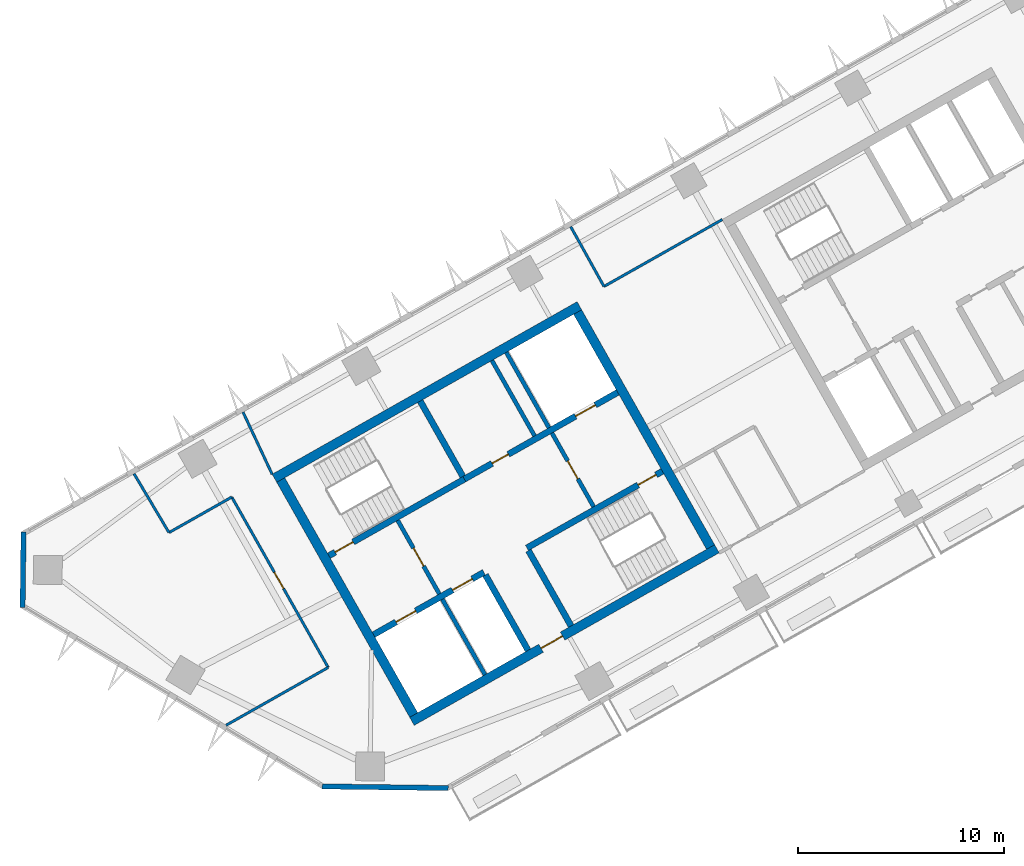
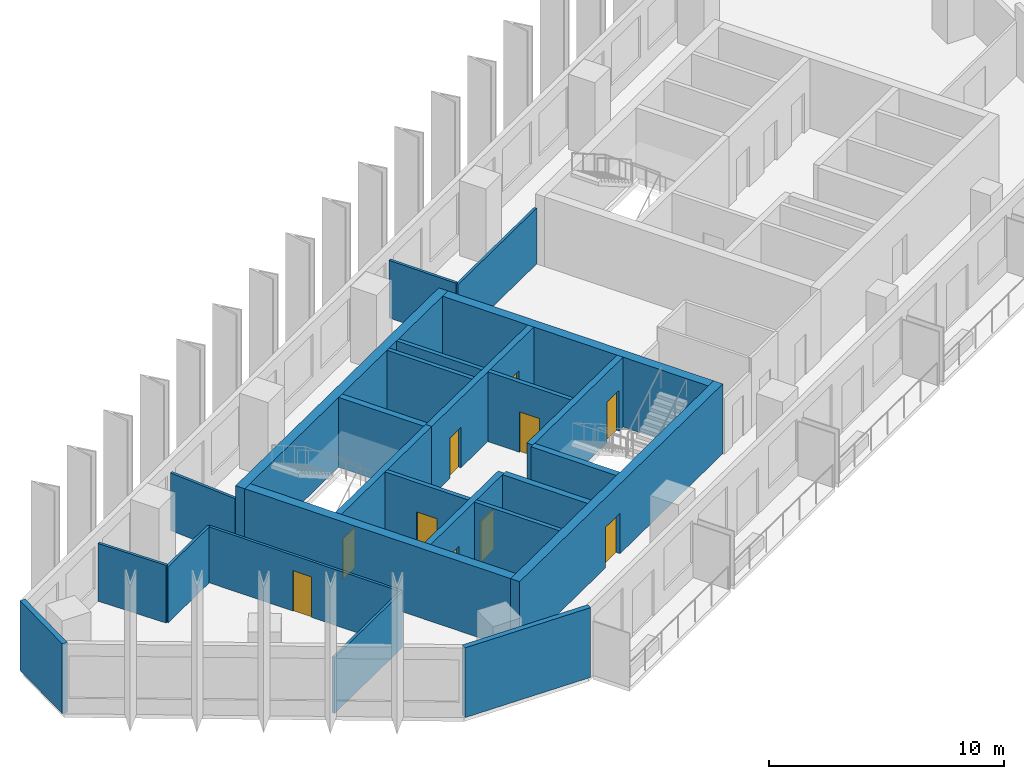
# One storey, part 3 of 12: 25 walls, 10 doors, 10 openings.
"""IFC4 building model written with IfcOpenShell, lengths in metres."""

from ifc_helpers import new_model, si_unit, direction, frame, frame_2d, origin, place, context, subcontext, project, spatial, rectangle, extrude, material, layer, layer_set, type_object, element, fill, save


model = new_model("IFC4")

# Units and contexts
model_context = context("Model", 3, precision=1e-05, world=origin(), true_north=direction((0.0, 1.0)))
body_context = subcontext(model_context, "Body", "Model", "MODEL_VIEW")
ifc_project = project(units=[si_unit("LENGTHUNIT", "METRE"), si_unit("AREAUNIT", "SQUARE_METRE"), si_unit("VOLUMEUNIT", "CUBIC_METRE"), si_unit("PLANEANGLEUNIT", "RADIAN"), si_unit("MASSUNIT", "GRAM", prefix="KILO")], contexts=[model_context])

# Site, building, storey
site_placement = place(None, origin())
site = spatial("IfcSite", under=ifc_project, at=site_placement, CompositionType="ELEMENT")
building_placement = place(site_placement, origin())
building = spatial("IfcBuilding", under=site, at=building_placement, Name="Binnacle Exchange Tower", CompositionType="ELEMENT")
storey_placement = place(building_placement, frame((0.0, 0.0, 238.699951171875)))
storey = spatial("IfcBuildingStorey", under=building, at=storey_placement, Name="L52", CompositionType="ELEMENT", Elevation=238.699951171875)

# Wall, openings, doors
ifc_material_1 = material(Name="Concrete C70/85", Category="concrete")
ifc_layer_1 = layer(ifc_material_1, 0.300048828125)
ifc_layer_set_1 = layer_set([ifc_layer_1], Name="Core wall - front 300")
wall_type_1 = type_object("IfcWallType", Name="Core wall - front 300", PredefinedType="SOLIDWALL", material=ifc_layer_set_1)
wall_1_placement = place(storey_placement, frame((-41.6865234375, 33.88720703125, 0.0), z_axis=(0.0, 0.0, 1.0), x_axis=(0.870355736587, 0.49242348826, 0.0)))
wall_1 = element("IfcWall", 1, at=wall_1_placement, inside=storey, type_object=wall_type_1, Name="Core wall CRWA2", PredefinedType="SOLIDWALL", context=body_context, shape_type="SweptSolid", body=[
    extrude(rectangle(XDim=6.14990234375, YDim=0.300048828125, at=frame_2d((3.074951171875, 0.0))), origin(), (0.0, 0.0, 1.0), 3.6201171875),
])
opening_1_placement = place(wall_1_placement, frame((1.25, 0.0, 0.0)))
opening_1 = element("IfcOpeningElement", 2, at=opening_1_placement, cuts=wall_1, Name="Opening LD12", PredefinedType="OPENING", context=body_context, shape_type="SweptSolid", body=[
    extrude(rectangle(XDim=1.10009765625, YDim=2.10009765625, at=frame_2d((0.550048828125, 1.050048828125))), frame((0.0, 0.159912109375, 0.0), z_axis=(0.0, -1.0, 0.0), x_axis=(1.0, 0.0, 0.0)), (0.0, 0.0, 1.0), 0.320068359375),
])
opening_2_placement = place(wall_1_placement, frame((4.39990234375, 0.0, 0.0)))
opening_2 = element("IfcOpeningElement", 3, at=opening_2_placement, cuts=wall_1, Name="Opening LD8", PredefinedType="OPENING", context=body_context, shape_type="SweptSolid", body=[
    extrude(rectangle(XDim=1.10009765625, YDim=2.10009765625, at=frame_2d((0.550048828125, 1.050048828125))), frame((0.0, 0.159912109375, 0.0), z_axis=(0.0, -1.0, 0.0), x_axis=(1.0, 0.0, 0.0)), (0.0, 0.0, 1.0), 0.320068359375),
])
ifc_material_2 = material(Name="Steel door leaf", Category="steel")
door_type_1 = type_object("IfcDoorType", Name="Fire door - lift landing 1100", OperationType="NOTDEFINED", PredefinedType="DOOR", material=ifc_material_2)
door_1_placement = place(opening_1_placement, origin())
door_1 = element("IfcDoor", 4, at=door_1_placement, inside=storey, type_object=door_type_1, Name="Landing door LD12 L52", OperationType="DOUBLE_DOOR_SLIDING", OverallHeight=2.10009765625, OverallWidth=1.10009765625, PredefinedType="DOOR", context=body_context, shape_type="SweptSolid", body=[
    extrude(rectangle(XDim=1.10009765625, YDim=2.10009765625, at=frame_2d((0.550048828125, 1.050048828125))), frame((0.0, 0.02490234375, 0.0), z_axis=(0.0, -1.0, 0.0), x_axis=(1.0, 0.0, 0.0)), (0.0, 0.0, 1.0), 0.050048828125),
])
fill(opening_1, door_1)
door_2_placement = place(opening_2_placement, origin())
door_2 = element("IfcDoor", 5, at=door_2_placement, inside=storey, type_object=door_type_1, Name="Landing door LD8 L52", OperationType="DOUBLE_DOOR_SLIDING", OverallHeight=2.10009765625, OverallWidth=1.10009765625, PredefinedType="DOOR", context=body_context, shape_type="SweptSolid", body=[
    extrude(rectangle(XDim=1.10009765625, YDim=2.10009765625, at=frame_2d((0.550048828125, 1.050048828125))), frame((0.0, 0.02490234375, 0.0), z_axis=(0.0, -1.0, 0.0), x_axis=(1.0, 0.0, 0.0)), (0.0, 0.0, 1.0), 0.050048828125),
])
fill(opening_2, door_2)

wall_2_placement = place(storey_placement, frame((-37.281982421875, 41.4345703125, 0.0), z_axis=(0.0, 0.0, 1.0), x_axis=(0.870352688754, 0.492428875248, 0.0)))
wall_2 = element("IfcWall", 6, at=wall_2_placement, inside=storey, type_object=wall_type_1, Name="Core wall CRWA5", PredefinedType="SOLIDWALL", context=body_context, shape_type="SweptSolid", body=[
    extrude(rectangle(XDim=8.5498046875, YDim=0.300048828125, at=frame_2d((4.27490234375, 0.0))), origin(), (0.0, 0.0, 1.0), 3.6201171875),
])
opening_3_placement = place(wall_2_placement, frame((6.199951171875, 0.0, 0.0)))
opening_3 = element("IfcOpeningElement", 7, at=opening_3_placement, cuts=wall_2, Name="Opening LD13", PredefinedType="OPENING", context=body_context, shape_type="SweptSolid", body=[
    extrude(rectangle(XDim=1.10009765625, YDim=2.10009765625, at=frame_2d((0.550048828125, 1.050048828125))), frame((0.0, 0.159912109375, 0.0), z_axis=(0.0, -1.0, 0.0), x_axis=(1.0, 0.0, 0.0)), (0.0, 0.0, 1.0), 0.320068359375),
])
opening_4_placement = place(wall_2_placement, frame((1.550048828125, 0.0, 0.0)))
opening_4 = element("IfcOpeningElement", 8, at=opening_4_placement, cuts=wall_2, Name="Opening DA10", PredefinedType="OPENING", context=body_context, shape_type="SweptSolid", body=[
    extrude(rectangle(XDim=0.89990234375, YDim=2.10009765625, at=frame_2d((0.449951171875, 1.050048828125))), frame((0.0, 0.159912109375, 0.0), z_axis=(0.0, -1.0, 0.0), x_axis=(1.0, 0.0, 0.0)), (0.0, 0.0, 1.0), 0.320068359375),
])
door_3_placement = place(opening_3_placement, origin())
door_3 = element("IfcDoor", 9, at=door_3_placement, inside=storey, type_object=door_type_1, Name="Landing door LD13 L52", OperationType="DOUBLE_DOOR_SLIDING", OverallHeight=2.10009765625, OverallWidth=1.10009765625, PredefinedType="DOOR", context=body_context, shape_type="SweptSolid", body=[
    extrude(rectangle(XDim=1.10009765625, YDim=2.10009765625, at=frame_2d((0.550048828125, 1.050048828125))), frame((0.0, 0.02490234375, 0.0), z_axis=(0.0, -1.0, 0.0), x_axis=(1.0, 0.0, 0.0)), (0.0, 0.0, 1.0), 0.050048828125),
])
fill(opening_3, door_3)
door_type_2 = type_object("IfcDoorType", Name="Fire door 900", OperationType="NOTDEFINED", PredefinedType="DOOR", material=ifc_material_2)
door_4_placement = place(opening_4_placement, origin())
door_4 = element("IfcDoor", 10, at=door_4_placement, inside=storey, type_object=door_type_2, Name="Core room door LINEN AND SUPPLIES STORE", OperationType="SINGLE_SWING_LEFT", OverallHeight=2.10009765625, OverallWidth=0.89990234375, PredefinedType="DOOR", context=body_context, shape_type="SweptSolid", body=[
    extrude(rectangle(XDim=0.89990234375, YDim=2.10009765625, at=frame_2d((0.449951171875, 1.050048828125))), frame((0.0, 0.02490234375, 0.0), z_axis=(0.0, -1.0, 0.0), x_axis=(1.0, 0.0, 0.0)), (0.0, 0.0, 1.0), 0.050048828125),
])
fill(opening_4, door_4)

# Wall
wall_3_placement = place(storey_placement, frame((-36.260009765625, 36.784912109375, 0.0), z_axis=(0.0, 0.0, 1.0), x_axis=(0.492409653846, -0.870363563575, 0.0)))
element("IfcWall", 11, at=wall_3_placement, inside=storey, type_object=wall_type_1, Name="Core wall CRWA13", PredefinedType="SOLIDWALL", context=body_context, shape_type="SweptSolid", body=[
    extrude(rectangle(XDim=4.199951171875, YDim=0.300048828125, at=frame_2d((2.10009765625, 0.0))), origin(), (0.0, 0.0, 1.0), 3.6201171875),
])

# Wall, opening, door
ifc_layer_2 = layer(ifc_material_1, 0.449951171875)
ifc_layer_set_2 = layer_set([ifc_layer_2], Name="Core wall - outer 450")
wall_type_2 = type_object("IfcWallType", Name="Core wall - outer 450", PredefinedType="SOLIDWALL", material=ifc_layer_set_2)
wall_4_placement = place(storey_placement, frame((-39.825439453125, 29.68359375, 0.0), z_axis=(0.0, 0.0, 1.0), x_axis=(0.870353598469, 0.492427267353, 0.0)))
wall_4 = element("IfcWall", 12, at=wall_4_placement, inside=storey, type_object=wall_type_2, Name="Core wall CRWA1", PredefinedType="SOLIDWALL", context=body_context, shape_type="SweptSolid", body=[
    extrude(rectangle(XDim=17.000244140625, YDim=0.449951171875, at=frame_2d((8.5, 0.0))), origin(), (0.0, 0.0, 1.0), 3.6201171875),
])
opening_5_placement = place(wall_4_placement, frame((7.199951171875, 0.0, 0.0)))
opening_5 = element("IfcOpeningElement", 13, at=opening_5_placement, cuts=wall_4, Name="Opening DA7", PredefinedType="OPENING", context=body_context, shape_type="SweptSolid", body=[
    extrude(rectangle(XDim=1.199951171875, YDim=2.10009765625, at=frame_2d((0.60009765625, 1.050048828125))), frame((0.0, 0.23486328125, 0.0), z_axis=(0.0, -1.0, 0.0), x_axis=(1.0, 0.0, 0.0)), (0.0, 0.0, 1.0), 0.469970703125),
])
door_type_3 = type_object("IfcDoorType", Name="Fire door 1200", OperationType="NOTDEFINED", PredefinedType="DOOR", material=ifc_material_2)
door_5_placement = place(opening_5_placement, frame((1.199951171875, 0.0, 0.0), z_axis=(0.0, 0.0, 1.0), x_axis=(-1.0, 0.0, 0.0)))
door_5 = element("IfcDoor", 14, at=door_5_placement, inside=storey, type_object=door_type_3, Name="Lift lobby entrance door core A", OperationType="SINGLE_SWING_RIGHT", OverallHeight=2.10009765625, OverallWidth=1.199951171875, PredefinedType="DOOR", context=body_context, shape_type="SweptSolid", body=[
    extrude(rectangle(XDim=1.199951171875, YDim=2.10009765625, at=frame_2d((0.60009765625, 1.050048828125))), frame((0.0, 0.02490234375, 0.0), z_axis=(0.0, -1.0, 0.0), x_axis=(1.0, 0.0, 0.0)), (0.0, 0.0, 1.0), 0.050048828125),
])
fill(opening_5, door_5)

# Walls
wall_5_placement = place(storey_placement, frame((-46.497802734375, 41.47705078125, 0.0), z_axis=(0.0, 0.0, 1.0), x_axis=(0.870359753402, 0.492416388494, 0.0)))
element("IfcWall", 15, at=wall_5_placement, inside=storey, type_object=wall_type_2, Name="Core wall CRWA6", PredefinedType="SOLIDWALL", context=body_context, shape_type="SweptSolid", body=[
    extrude(rectangle(XDim=17.0, YDim=0.449951171875, at=frame_2d((8.5, 0.0))), origin(), (0.0, 0.0, 1.0), 3.6201171875),
])
for number, where, z_axis, x_axis, name in (
    (16, (-46.191162109375, 41.391845703125, 0.0), (0.0, 0.0, 1.0), (0.492421378713, -0.870356930107, 0.0), "Core wall CRWA7"),
    (17, (-31.78662109375, 49.54150390625, 0.0), (0.0, 0.0, 1.0), (0.492421378713, -0.870356930107, 0.0), "Core wall CRWA22"),
):
    element("IfcWall", number, at=place(storey_placement, frame(where, z_axis=z_axis, x_axis=x_axis)), inside=storey, type_object=wall_type_2, Name=name, PredefinedType="SOLIDWALL", context=body_context, shape_type="SweptSolid", body=[
        extrude(rectangle(XDim=13.099853515625, YDim=0.449951171875, at=frame_2d((6.5498046875, 0.0))), origin(), (0.0, 0.0, 1.0), 3.6201171875),
    ])

# Wall, opening, door
ifc_layer_3 = layer(ifc_material_1, 0.300048828125)
ifc_layer_set_3 = layer_set([ifc_layer_3], Name="Core wall - stair 300")
wall_type_3 = type_object("IfcWallType", Name="Core wall - stair 300", PredefinedType="SOLIDWALL", material=ifc_layer_set_3)
wall_6_placement = place(storey_placement, frame((-34.2451171875, 38.097412109375, 0.0), z_axis=(0.0, 0.0, 1.0), x_axis=(0.870360409231, 0.492415229297, 0.0)))
wall_6 = element("IfcWall", 18, at=wall_6_placement, inside=storey, type_object=wall_type_3, Name="Core wall CRWA3", PredefinedType="SOLIDWALL", context=body_context, shape_type="SweptSolid", body=[
    extrude(rectangle(XDim=7.550048828125, YDim=0.300048828125, at=frame_2d((3.77490234375, 0.0))), origin(), (0.0, 0.0, 1.0), 3.6201171875),
])
opening_6_placement = place(wall_6_placement, frame((6.199951171875, 0.0, 0.0)))
opening_6 = element("IfcOpeningElement", 19, at=opening_6_placement, cuts=wall_6, Name="Opening DA2", PredefinedType="OPENING", context=body_context, shape_type="SweptSolid", body=[
    extrude(rectangle(XDim=1.0, YDim=2.10009765625, at=frame_2d((0.5, 1.050048828125))), frame((0.0, 0.159912109375, 0.0), z_axis=(0.0, -1.0, 0.0), x_axis=(1.0, 0.0, 0.0)), (0.0, 0.0, 1.0), 0.320068359375),
])
door_type_4 = type_object("IfcDoorType", Name="Fire door 1000", OperationType="NOTDEFINED", PredefinedType="DOOR", material=ifc_material_2)
door_6_placement = place(opening_6_placement, frame((1.0, 0.0, 0.0), z_axis=(0.0, 0.0, 1.0), x_axis=(-1.0, 0.0, 0.0)))
door_6 = element("IfcDoor", 20, at=door_6_placement, inside=storey, type_object=door_type_4, Name="Stair door ST-A2", OperationType="SINGLE_SWING_LEFT", OverallHeight=2.10009765625, OverallWidth=1.0, PredefinedType="DOOR", context=body_context, shape_type="SweptSolid", body=[
    extrude(rectangle(XDim=1.0, YDim=2.10009765625, at=frame_2d((0.5, 1.050048828125))), frame((0.0, 0.02490234375, 0.0), z_axis=(0.0, -1.0, 0.0), x_axis=(1.0, 0.0, 0.0)), (0.0, 0.0, 1.0), 0.050048828125),
])
fill(opening_6, door_6)

wall_7_placement = place(storey_placement, frame((-43.853271484375, 37.716796875, 0.0), z_axis=(0.0, 0.0, 1.0), x_axis=(0.870360409231, 0.492415229297, 0.0)))
wall_7 = element("IfcWall", 21, at=wall_7_placement, inside=storey, type_object=wall_type_3, Name="Core wall CRWA4", PredefinedType="SOLIDWALL", context=body_context, shape_type="SweptSolid", body=[
    extrude(rectangle(XDim=7.550048828125, YDim=0.300048828125, at=frame_2d((3.77490234375, 0.0))), origin(), (0.0, 0.0, 1.0), 3.6201171875),
])
opening_7_placement = place(wall_7_placement, frame((0.35009765625, 0.0, 0.0)))
opening_7 = element("IfcOpeningElement", 22, at=opening_7_placement, cuts=wall_7, Name="Opening DA1", PredefinedType="OPENING", context=body_context, shape_type="SweptSolid", body=[
    extrude(rectangle(XDim=1.0, YDim=2.10009765625, at=frame_2d((0.5, 1.050048828125))), frame((0.0, 0.159912109375, 0.0), z_axis=(0.0, -1.0, 0.0), x_axis=(1.0, 0.0, 0.0)), (0.0, 0.0, 1.0), 0.320068359375),
])
door_7_placement = place(opening_7_placement, origin())
door_7 = element("IfcDoor", 23, at=door_7_placement, inside=storey, type_object=door_type_4, Name="Stair door ST-A1", OperationType="SINGLE_SWING_LEFT", OverallHeight=2.10009765625, OverallWidth=1.0, PredefinedType="DOOR", context=body_context, shape_type="SweptSolid", body=[
    extrude(rectangle(XDim=1.0, YDim=2.10009765625, at=frame_2d((0.5, 1.050048828125))), frame((0.0, 0.02490234375, 0.0), z_axis=(0.0, -1.0, 0.0), x_axis=(1.0, 0.0, 0.0)), (0.0, 0.0, 1.0), 0.050048828125),
])
fill(opening_7, door_7)

# Walls
for number, where, z_axis, x_axis, name in (
    (24, (-39.424072265625, 45.220458984375, 0.0), (0.0, 0.0, 1.0), (0.492409653846, -0.870363563575, 0.0), "Core wall CRWA14"),
    (25, (-34.171142578125, 37.966796875, 0.0), (0.0, 0.0, 1.0), (0.492409653846, -0.870363563575, 0.0), "Core wall CRWA16"),
):
    element("IfcWall", number, at=place(storey_placement, frame(where, z_axis=z_axis, x_axis=x_axis)), inside=storey, type_object=wall_type_3, Name=name, PredefinedType="SOLIDWALL", context=body_context, shape_type="SweptSolid", body=[
        extrude(rectangle(XDim=4.199951171875, YDim=0.300048828125, at=frame_2d((2.10009765625, 0.0))), origin(), (0.0, 0.0, 1.0), 3.6201171875),
    ])
ifc_material_3 = material(Name="Bronze aluminium cladding", Category="aluminium")
ifc_layer_4 = layer(ifc_material_3, 0.25)
ifc_layer_set_4 = layer_set([ifc_layer_4], Name="External wall - window wall 250")
wall_type_4 = type_object("IfcWallType", Name="External wall - window wall 250", PredefinedType="STANDARD", material=ifc_layer_set_4)
wall_8_placement = place(storey_placement, frame((-38.06396484375, 26.44482421875, 0.0), z_axis=(0.0, 0.0, 1.0), x_axis=(-0.999914239143, 0.013096349097, 0.0)))
element("IfcWall", 26, at=wall_8_placement, inside=storey, type_object=wall_type_4, Name="External wall EW-G00 L52", PredefinedType="STANDARD", context=body_context, shape_type="SweptSolid", body=[
    extrude(rectangle(XDim=6.114501953125, YDim=0.25, at=frame_2d((3.05712890625, 0.0))), origin(), (0.0, 0.0, 1.0), 3.6201171875),
])
wall_9_placement = place(storey_placement, frame((-58.717041015625, 35.208251953125, 0.0), z_axis=(0.0, 0.0, 1.0), x_axis=(0.01310512158, 0.999914124207, 0.0)))
element("IfcWall", 27, at=wall_9_placement, inside=storey, type_object=wall_type_4, Name="External wall EW-G09 L52", PredefinedType="STANDARD", context=body_context, shape_type="SweptSolid", body=[
    extrude(rectangle(XDim=3.669921875, YDim=0.25, at=frame_2d((1.8349609375, 0.0))), origin(), (0.0, 0.0, 1.0), 3.6201171875),
])

# Wall, opening, door
ifc_material_4 = material(Name="Masonry block wall", Category="masonry")
ifc_layer_5 = layer(ifc_material_4, 0.199951171875)
ifc_layer_set_5 = layer_set([ifc_layer_5], Name="Fire wall - vestibule 200")
wall_type_5 = type_object("IfcWallType", Name="Fire wall - vestibule 200", PredefinedType="PARTITIONING", material=ifc_layer_set_5)
wall_10_placement = place(storey_placement, frame((-40.515625, 39.4326171875, 0.0), z_axis=(0.0, 0.0, 1.0), x_axis=(0.492453559952, -0.87033872216, 0.0)))
wall_10 = element("IfcWall", 28, at=wall_10_placement, inside=storey, type_object=wall_type_5, Name="Core wall CRWA10", PredefinedType="PARTITIONING", context=body_context, shape_type="SweptSolid", body=[
    extrude(rectangle(XDim=4.099853515625, YDim=0.199951171875, at=frame_2d((2.0498046875, 0.0))), origin(), (0.0, 0.0, 1.0), 3.6201171875),
])
opening_8_placement = place(wall_10_placement, frame((1.550048828125, 0.0, 0.0)))
opening_8 = element("IfcOpeningElement", 29, at=opening_8_placement, cuts=wall_10, Name="Opening DA3", PredefinedType="OPENING", context=body_context, shape_type="SweptSolid", body=[
    extrude(rectangle(XDim=1.0, YDim=2.10009765625, at=frame_2d((0.5, 1.050048828125))), frame((0.0, 0.10986328125, 0.0), z_axis=(0.0, -1.0, 0.0), x_axis=(1.0, 0.0, 0.0)), (0.0, 0.0, 1.0), 0.219970703125),
])
door_8_placement = place(opening_8_placement, frame((1.0, 0.0, 0.0), z_axis=(0.0, 0.0, 1.0), x_axis=(-1.0, 0.0, 0.0)))
door_8 = element("IfcDoor", 30, at=door_8_placement, inside=storey, type_object=door_type_4, Name="Vestibule door VEST-W", OperationType="SINGLE_SWING_LEFT", OverallHeight=2.10009765625, OverallWidth=1.0, PredefinedType="DOOR", context=body_context, shape_type="SweptSolid", body=[
    extrude(rectangle(XDim=1.0, YDim=2.10009765625, at=frame_2d((0.5, 1.050048828125))), frame((0.0, 0.02490234375, 0.0), z_axis=(0.0, -1.0, 0.0), x_axis=(1.0, 0.0, 0.0)), (0.0, 0.0, 1.0), 0.050048828125),
])
fill(opening_8, door_8)

wall_11_placement = place(storey_placement, frame((-33.030517578125, 43.66748046875, 0.0), z_axis=(0.0, 0.0, 1.0), x_axis=(0.492408451753, -0.87036424366, 0.0)))
wall_11 = element("IfcWall", 31, at=wall_11_placement, inside=storey, type_object=wall_type_5, Name="Core wall CRWA19", PredefinedType="PARTITIONING", context=body_context, shape_type="SweptSolid", body=[
    extrude(rectangle(XDim=4.099853515625, YDim=0.199951171875, at=frame_2d((2.0498046875, 0.0))), origin(), (0.0, 0.0, 1.0), 3.6201171875),
])
opening_9_placement = place(wall_11_placement, frame((1.550048828125, 0.0, 0.0)))
opening_9 = element("IfcOpeningElement", 32, at=opening_9_placement, cuts=wall_11, Name="Opening DA4", PredefinedType="OPENING", context=body_context, shape_type="SweptSolid", body=[
    extrude(rectangle(XDim=1.0, YDim=2.10009765625, at=frame_2d((0.5, 1.050048828125))), frame((0.0, 0.10986328125, 0.0), z_axis=(0.0, -1.0, 0.0), x_axis=(1.0, 0.0, 0.0)), (0.0, 0.0, 1.0), 0.219970703125),
])
door_9_placement = place(opening_9_placement, origin())
door_9 = element("IfcDoor", 33, at=door_9_placement, inside=storey, type_object=door_type_4, Name="Vestibule door VEST-E", OperationType="SINGLE_SWING_RIGHT", OverallHeight=2.10009765625, OverallWidth=1.0, PredefinedType="DOOR", context=body_context, shape_type="SweptSolid", body=[
    extrude(rectangle(XDim=1.0, YDim=2.10009765625, at=frame_2d((0.5, 1.050048828125))), frame((0.0, 0.02490234375, 0.0), z_axis=(0.0, -1.0, 0.0), x_axis=(1.0, 0.0, 0.0)), (0.0, 0.0, 1.0), 0.050048828125),
])
fill(opening_9, door_9)

# Walls
ifc_material_5 = material(Name="Gypsum partition")
ifc_layer_6 = layer(ifc_material_5, 0.125)
ifc_layer_set_6 = layer_set([ifc_layer_6], Name="Partition 125")
wall_type_6 = type_object("IfcWallType", Name="Partition 125", PredefinedType="PARTITIONING", material=ifc_layer_set_6)
wall_12_placement = place(storey_placement, frame((-53.30908203125, 41.696044921875, 0.0), z_axis=(0.0, 0.0, 1.0), x_axis=(0.510739180143, -0.859735709312, 0.0)))
element("IfcWall", 34, at=wall_12_placement, inside=storey, type_object=wall_type_6, Name="Partition W01", PredefinedType="PARTITIONING", context=body_context, shape_type="SweptSolid", body=[
    extrude(rectangle(XDim=3.32080078125, YDim=0.125, at=frame_2d((1.660400390625, 0.0))), origin(), (0.0, 0.0, 1.0), 2.994140625),
])
wall_13_placement = place(storey_placement, frame((-51.613037109375, 38.841064453125, 0.0), z_axis=(0.0, 0.0, 1.0), x_axis=(0.870300294116, 0.492521469645, 0.0)))
element("IfcWall", 35, at=wall_13_placement, inside=storey, type_object=wall_type_6, Name="Partition W02", PredefinedType="PARTITIONING", context=body_context, shape_type="SweptSolid", body=[
    extrude(rectangle(XDim=3.5, YDim=0.125, at=frame_2d((1.75, 0.0))), origin(), (0.0, 0.0, 1.0), 2.900146484375),
])
wall_14_placement = place(storey_placement, frame((-48.843017578125, 29.493896484375, 0.0), z_axis=(0.0, 0.0, 1.0), x_axis=(0.870331085166, 0.492467056962, 0.0)))
element("IfcWall", 36, at=wall_14_placement, inside=storey, type_object=wall_type_6, Name="Partition W03", PredefinedType="PARTITIONING", context=body_context, shape_type="SweptSolid", body=[
    extrude(rectangle(XDim=5.692138671875, YDim=0.125, at=frame_2d((2.84619140625, 0.0))), origin(), (0.0, 0.0, 1.0), 2.900146484375),
])

# Wall, opening, door
wall_15_placement = place(storey_placement, frame((-48.56689453125, 40.56494140625, 0.0), z_axis=(0.0, 0.0, 1.0), x_axis=(0.492445070084, -0.870343525828, 0.0)))
wall_15 = element("IfcWall", 37, at=wall_15_placement, inside=storey, type_object=wall_type_6, Name="Partition W04", PredefinedType="PARTITIONING", context=body_context, shape_type="SweptSolid", body=[
    extrude(rectangle(XDim=9.49951171875, YDim=0.125, at=frame_2d((4.749755859375, 0.0))), origin(), (0.0, 0.0, 1.0), 2.900146484375),
])
opening_10_placement = place(wall_15_placement, frame((4.199951171875, 0.0, 0.0)))
opening_10 = element("IfcOpeningElement", 38, at=opening_10_placement, cuts=wall_15, Name="Opening DL52-01", PredefinedType="OPENING", context=body_context, shape_type="SweptSolid", body=[
    extrude(rectangle(XDim=0.89990234375, YDim=2.10009765625, at=frame_2d((0.449951171875, 1.050048828125))), frame((0.0, 0.072509765625, 0.0), z_axis=(0.0, -1.0, 0.0), x_axis=(1.0, 0.0, 0.0)), (0.0, 0.0, 1.0), 0.14501953125),
])
ifc_material_6 = material(Name="Timber door leaf", Category="wood")
door_type_5 = type_object("IfcDoorType", Name="Door 900", OperationType="NOTDEFINED", PredefinedType="DOOR", material=ifc_material_6)
door_10_placement = place(opening_10_placement, frame((0.89990234375, 0.0, 0.0), z_axis=(0.0, 0.0, 1.0), x_axis=(-1.0, 0.0, 0.0)))
door_10 = element("IfcDoor", 39, at=door_10_placement, inside=storey, type_object=door_type_5, Name="Door DL52-01", OperationType="SINGLE_SWING_RIGHT", OverallHeight=2.10009765625, OverallWidth=0.89990234375, PredefinedType="DOOR", context=body_context, shape_type="SweptSolid", body=[
    extrude(rectangle(XDim=0.89990234375, YDim=2.10009765625, at=frame_2d((0.449951171875, 1.050048828125))), frame((0.0, 0.02490234375, 0.0), z_axis=(0.0, -1.0, 0.0), x_axis=(1.0, 0.0, 0.0)), (0.0, 0.0, 1.0), 0.050048828125),
])
fill(opening_10, door_10)

# Walls
wall_16_placement = place(storey_placement, frame((-48.02197265625, 44.68701171875, 0.0), z_axis=(0.0, 0.0, 1.0), x_axis=(0.424510917438, -0.905422818895, 0.0)))
element("IfcWall", 40, at=wall_16_placement, inside=storey, type_object=wall_type_6, Name="Partition W05", PredefinedType="PARTITIONING", context=body_context, shape_type="SweptSolid", body=[
    extrude(rectangle(XDim=3.328857421875, YDim=0.125, at=frame_2d((1.66455078125, 0.0))), origin(), (0.0, 0.0, 1.0), 2.988037109375),
])
wall_17_placement = place(storey_placement, frame((-32.12109375, 53.68310546875, 0.0), z_axis=(0.0, 0.0, 1.0), x_axis=(0.486292328656, -0.873796183952, 0.0)))
element("IfcWall", 41, at=wall_17_placement, inside=storey, type_object=wall_type_6, Name="Partition W06", PredefinedType="PARTITIONING", context=body_context, shape_type="SweptSolid", body=[
    extrude(rectangle(XDim=3.319091796875, YDim=0.125, at=frame_2d((1.65966796875, 0.0))), origin(), (0.0, 0.0, 1.0), 2.988037109375),
])
wall_18_placement = place(storey_placement, frame((-30.507080078125, 50.782958984375, 0.0), z_axis=(0.0, 0.0, 1.0), x_axis=(0.870368895989, 0.492400228367, 0.0)))
element("IfcWall", 42, at=wall_18_placement, inside=storey, type_object=wall_type_6, Name="Partition W07", PredefinedType="PARTITIONING", context=body_context, shape_type="SweptSolid", body=[
    extrude(rectangle(XDim=6.59033203125, YDim=0.125, at=frame_2d((3.295166015625, 0.0))), origin(), (0.0, 0.0, 1.0), 2.89208984375),
])
ifc_layer_7 = layer(ifc_material_4, 0.199951171875)
ifc_layer_set_7 = layer_set([ifc_layer_7], Name="Riser wall 200")
wall_type_7 = type_object("IfcWallType", Name="Riser wall 200", PredefinedType="SOLIDWALL", material=ifc_layer_set_7)
for number, where, z_axis, x_axis, name in (
    (43, (-35.942626953125, 47.190185546875, 0.0), (0.0, 0.0, 1.0), (0.492409653846, -0.870363563575, 0.0), "Core wall CRWA18"),
    (44, (-35.246337890625, 47.584228515625, 0.0), (0.0, 0.0, 1.0), (0.492409653846, -0.870363563575, 0.0), "Core wall CRWA20"),
):
    element("IfcWall", number, at=place(storey_placement, frame(where, z_axis=z_axis, x_axis=x_axis)), inside=storey, type_object=wall_type_7, Name=name, PredefinedType="SOLIDWALL", context=body_context, shape_type="SweptSolid", body=[
        extrude(rectangle(XDim=4.199951171875, YDim=0.199951171875, at=frame_2d((2.10009765625, 0.0))), origin(), (0.0, 0.0, 1.0), 3.6201171875),
    ])
ifc_layer_8 = layer(ifc_material_4, 0.199951171875)
ifc_layer_set_8 = layer_set([ifc_layer_8], Name="Shaft wall 200")
wall_type_8 = type_object("IfcWallType", Name="Shaft wall 200", PredefinedType="SOLIDWALL", material=ifc_layer_set_8)
wall_19_placement = place(storey_placement, frame((-38.348876953125, 35.603271484375, 0.0), z_axis=(0.0, 0.0, 1.0), x_axis=(0.492409653846, -0.870363563575, 0.0)))
element("IfcWall", 45, at=wall_19_placement, inside=storey, type_object=wall_type_8, Name="Core wall CRWA9", PredefinedType="SOLIDWALL", context=body_context, shape_type="SweptSolid", body=[
    extrude(rectangle(XDim=4.199951171875, YDim=0.199951171875, at=frame_2d((2.10009765625, 0.0))), origin(), (0.0, 0.0, 1.0), 3.6201171875),
])

save(model, "model.ifc")
